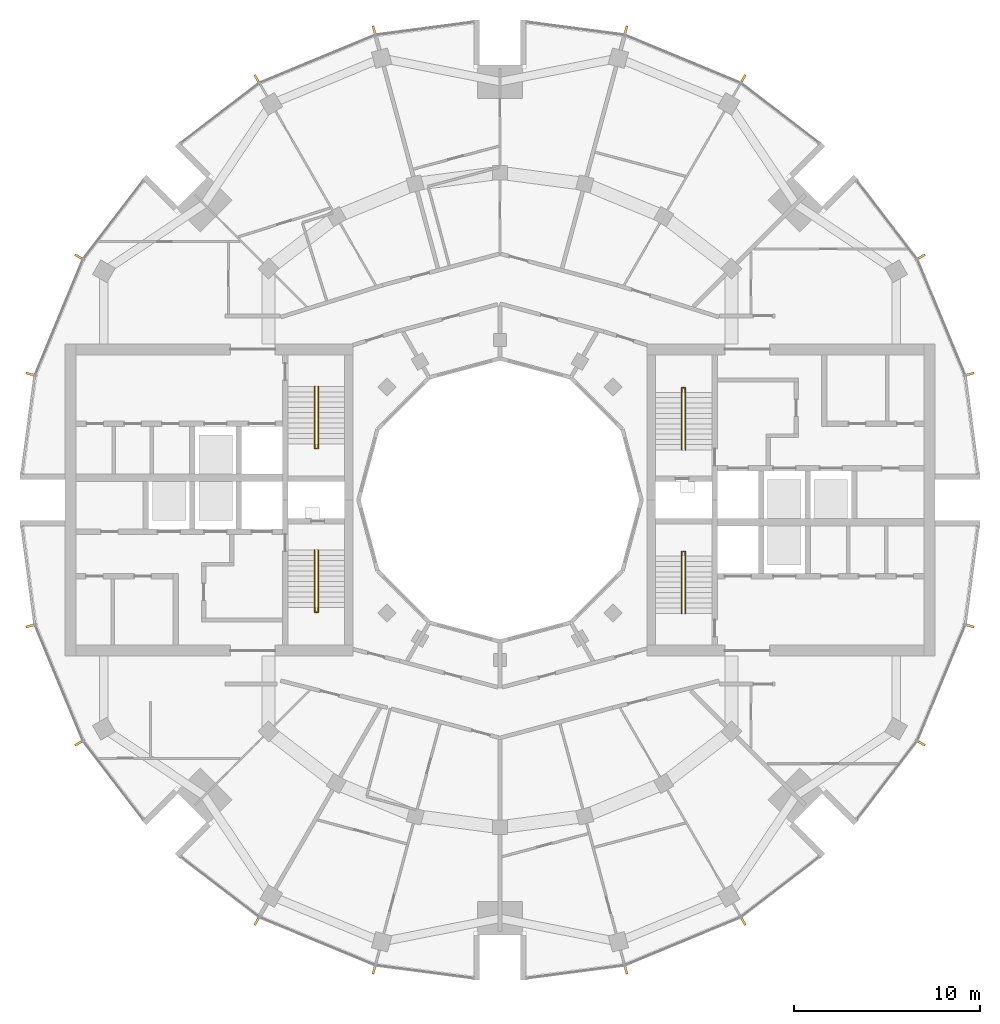
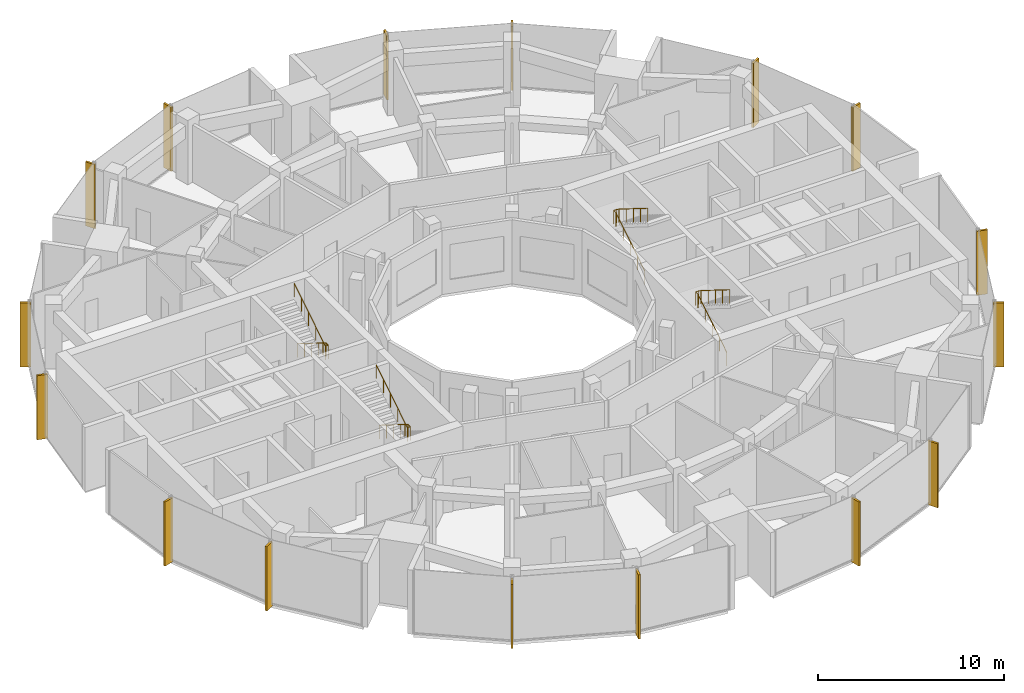
# One storey, part 14 of 15: 16 shading devices, 4 railings.
"""IFC4 building model written with IfcOpenShell, lengths in metres."""

from ifc_helpers import new_model, si_unit, direction, frame, origin, origin_2d, place, context, subcontext, project, spatial, rectangle, circle, extrude, material, material_profile, profile_set, type_object, element, save


model = new_model("IFC4")

# Units and contexts
model_context = context("Model", 3, precision=1e-05, world=origin(), true_north=direction((0.0, 1.0)))
body_context = subcontext(model_context, "Body", "Model", "MODEL_VIEW")
ifc_project = project(units=[si_unit("LENGTHUNIT", "METRE"), si_unit("AREAUNIT", "SQUARE_METRE"), si_unit("VOLUMEUNIT", "CUBIC_METRE"), si_unit("PLANEANGLEUNIT", "RADIAN"), si_unit("MASSUNIT", "GRAM", prefix="KILO")], contexts=[model_context])

# Site, building, storey
site_placement = place(None, origin())
site = spatial("IfcSite", under=ifc_project, at=site_placement, CompositionType="ELEMENT")
building_placement = place(site_placement, origin())
building = spatial("IfcBuilding", under=site, at=building_placement, Name="Torre Brocal", CompositionType="ELEMENT")
storey_placement = place(building_placement, frame((0.0, 0.0, 225.10009765625)))
storey = spatial("IfcBuildingStorey", under=building, at=storey_placement, Name="L52", CompositionType="ELEMENT", Elevation=225.10009765625)

# Shading devices
ifc_material_1 = material(Name="Aluminium, black anodised", Category="aluminium")
ifc_material_profile = material_profile(ifc_material_1, rectangle(XDim=0.1201171875, YDim=0.60009765625, at=origin_2d()), Name="FIN 120X600 4200 HIGH")
ifc_profile_set = profile_set([ifc_material_profile], Name="Aluminium, black anodised")
shading_device_type = type_object("IfcShadingDeviceType", Name="FIN 120X600 4200 HIGH", PredefinedType="USERDEFINED", material=ifc_profile_set)
for number, where, z_axis, x_axis, name in (
    (1, (105.208984375, 81.754638671875, -0.150146484375), (0.0, 0.0, 1.0), (-0.258819045103, 0.965925826289, 0.0), "FIN"),
    (2, (102.601806640625, 88.049072265625, -0.150146484375), (0.0, 0.0, 1.0), (-0.5, 0.866025403784, 0.0), "FIN"),
    (3, (93.049072265625, 97.601806640625, -0.150146484375), (0.0, 0.0, 1.0), (-0.866025403784, 0.5, 0.0), "FIN"),
    (4, (86.754638671875, 100.208984375, -0.150146484375), (0.0, 0.0, 1.0), (-0.965925826289, 0.258819045103, 0.0), "FIN"),
    (5, (73.245361328125, 100.208984375, -0.150146484375), (0.0, 0.0, 1.0), (-0.965925826289, -0.258819045103, 0.0), "FIN"),
    (6, (66.950927734375, 97.601806640625, -0.150146484375), (0.0, 0.0, 1.0), (-0.866025403784, -0.5, 0.0), "FIN"),
    (7, (57.398193359375, 88.049072265625, -0.150146484375), (0.0, 0.0, 1.0), (-0.5, -0.866025403784, 0.0), "FIN"),
    (8, (54.791015625, 81.754638671875, -0.150146484375), (0.0, 0.0, 1.0), (-0.258819045103, -0.965925826289, 0.0), "FIN"),
    (9, (54.791015625, 68.245361328125, -0.150146484375), (0.0, 0.0, 1.0), (0.258819045103, -0.965925826289, 0.0), "FIN"),
    (10, (57.398193359375, 61.950927734375, -0.150146484375), (0.0, 0.0, 1.0), (0.5, -0.866025403784, 0.0), "FIN"),
    (11, (66.950927734375, 52.398193359375, -0.150146484375), (0.0, 0.0, 1.0), (0.866025403784, -0.5, 0.0), "FIN"),
    (12, (73.245361328125, 49.791015625, -0.150146484375), (0.0, 0.0, 1.0), (0.965925826289, -0.258819045103, 0.0), "FIN"),
    (13, (86.754638671875, 49.791015625, -0.150146484375), (0.0, 0.0, 1.0), (0.965925826289, 0.258819045103, 0.0), "FIN"),
    (14, (93.049072265625, 52.398193359375, -0.150146484375), (0.0, 0.0, 1.0), (0.866025403784, 0.5, 0.0), "FIN"),
    (15, (102.601806640625, 61.950927734375, -0.150146484375), (0.0, 0.0, 1.0), (0.5, 0.866025403784, 0.0), "FIN"),
    (16, (105.208984375, 68.245361328125, -0.150146484375), (0.0, 0.0, 1.0), (0.258819045103, 0.965925826289, 0.0), "FIN"),
):
    element("IfcShadingDevice", number, at=place(storey_placement, frame(where, z_axis=z_axis, x_axis=x_axis)), inside=storey, type_object=shading_device_type, Name=name, ObjectType="FIN", PredefinedType="USERDEFINED", context=body_context, shape_type="SweptSolid", body=[
        extrude(rectangle(XDim=0.1201171875, YDim=0.60009765625, at=origin_2d()), origin(), (0.0, 0.0, 1.0), 4.199951171875),
    ])

# Railings
ifc_material_2 = material(Name="Stainless steel AISI 316", Category="steel")
railing_type = type_object("IfcRailingType", Name="STAIR HANDRAIL", PredefinedType="HANDRAIL", material=ifc_material_2)
railing_1_placement = place(storey_placement, frame((89.780029296875, 77.699951171875, 0.1748046875)))
element("IfcRailing", 17, at=railing_1_placement, inside=storey, type_object=railing_type, Name="HANDRAIL ST1", PredefinedType="HANDRAIL", context=body_context, shape_type="SweptSolid", body=[
    extrude(circle(Radius=0.02392578125, at=origin_2d()), frame((0.0, 0.0, 0.8759765625), z_axis=(0.0, 0.847998304005, 0.529998940003), x_axis=(-1.0, 0.0, 0.0)), (0.0, 0.0, 1.0), 3.632080078125),
    extrude(circle(Radius=0.02392578125, at=origin_2d()), frame((0.0, 3.080078125, 2.80078125), z_axis=(0.0, 1.0, 0.0), x_axis=(-1.0, 0.0, 0.0)), (0.0, 0.0, 1.0), 0.25),
    extrude(circle(Radius=0.02392578125, at=origin_2d()), frame((0.0, 3.330078125, 2.80078125), z_axis=(1.0, 0.0, 0.0), x_axis=(0.0, 1.0, 0.0)), (0.0, 0.0, 1.0), 0.18994140625),
    extrude(circle(Radius=0.02392578125, at=origin_2d()), frame((0.18994140625, 3.330078125, 2.80078125), z_axis=(0.0, -0.819156749665, 0.573569716318), x_axis=(1.0, 0.0, 0.0)), (0.0, 0.0, 1.0), 0.30517578125),
    extrude(circle(Radius=0.02392578125, at=origin_2d()), frame((0.18994140625, 3.080078125, 2.97607421875), z_axis=(0.0, -0.847998304005, 0.529998940003), x_axis=(1.0, 0.0, 0.0)), (0.0, 0.0, 1.0), 3.632080078125),
    extrude(circle(Radius=0.02099609375, at=origin_2d()), origin(), (0.0, 0.0, 1.0), 0.851806640625),
    extrude(circle(Radius=0.02099609375, at=origin_2d()), frame((0.0, 0.77001953125, 0.481201171875)), (0.0, 0.0, 1.0), 0.851806640625),
    extrude(circle(Radius=0.02099609375, at=origin_2d()), frame((0.0, 1.5400390625, 0.96240234375)), (0.0, 0.0, 1.0), 0.851806640625),
    extrude(circle(Radius=0.02099609375, at=origin_2d()), frame((0.0, 2.31005859375, 1.44384765625)), (0.0, 0.0, 1.0), 0.851806640625),
    extrude(circle(Radius=0.02099609375, at=origin_2d()), frame((0.0, 3.080078125, 1.925048828125)), (0.0, 0.0, 1.0), 0.851806640625),
    extrude(circle(Radius=0.02099609375, at=origin_2d()), frame((0.0, 3.330078125, 1.925048828125)), (0.0, 0.0, 1.0), 0.851806640625),
    extrude(circle(Radius=0.02099609375, at=origin_2d()), frame((0.18994140625, 3.330078125, 1.925048828125)), (0.0, 0.0, 1.0), 0.851806640625),
    extrude(circle(Radius=0.02099609375, at=origin_2d()), frame((0.18994140625, 3.080078125, 2.10009765625)), (0.0, 0.0, 1.0), 0.851806640625),
    extrude(circle(Radius=0.02099609375, at=origin_2d()), frame((0.18994140625, 2.31005859375, 2.581298828125)), (0.0, 0.0, 1.0), 0.851806640625),
    extrude(circle(Radius=0.02099609375, at=origin_2d()), frame((0.18994140625, 1.5400390625, 3.0625)), (0.0, 0.0, 1.0), 0.851806640625),
    extrude(circle(Radius=0.02099609375, at=origin_2d()), frame((0.18994140625, 0.77001953125, 3.5439453125)), (0.0, 0.0, 1.0), 0.851806640625),
    extrude(circle(Radius=0.02099609375, at=origin_2d()), frame((0.18994140625, 0.0, 4.025146484375)), (0.0, 0.0, 1.0), 0.851806640625),
])
railing_2_placement = place(storey_placement, frame((89.780029296875, 68.89990234375, 0.1748046875)))
element("IfcRailing", 18, at=railing_2_placement, inside=storey, type_object=railing_type, Name="HANDRAIL ST2", PredefinedType="HANDRAIL", context=body_context, shape_type="SweptSolid", body=[
    extrude(circle(Radius=0.02392578125, at=origin_2d()), frame((0.0, 0.0, 0.8759765625), z_axis=(0.0, 0.847998304005, 0.529998940003), x_axis=(-1.0, 0.0, 0.0)), (0.0, 0.0, 1.0), 3.632080078125),
    extrude(circle(Radius=0.02392578125, at=origin_2d()), frame((0.0, 3.080078125, 2.80078125), z_axis=(0.0, 1.0, 0.0), x_axis=(-1.0, 0.0, 0.0)), (0.0, 0.0, 1.0), 0.25),
    extrude(circle(Radius=0.02392578125, at=origin_2d()), frame((0.0, 3.330078125, 2.80078125), z_axis=(1.0, 0.0, 0.0), x_axis=(0.0, 1.0, 0.0)), (0.0, 0.0, 1.0), 0.18994140625),
    extrude(circle(Radius=0.02392578125, at=origin_2d()), frame((0.18994140625, 3.330078125, 2.80078125), z_axis=(0.0, -0.819156749665, 0.573569716318), x_axis=(1.0, 0.0, 0.0)), (0.0, 0.0, 1.0), 0.30517578125),
    extrude(circle(Radius=0.02392578125, at=origin_2d()), frame((0.18994140625, 3.080078125, 2.97607421875), z_axis=(0.0, -0.847998304005, 0.529998940003), x_axis=(1.0, 0.0, 0.0)), (0.0, 0.0, 1.0), 3.632080078125),
    extrude(circle(Radius=0.02099609375, at=origin_2d()), origin(), (0.0, 0.0, 1.0), 0.851806640625),
    extrude(circle(Radius=0.02099609375, at=origin_2d()), frame((0.0, 0.77001953125, 0.481201171875)), (0.0, 0.0, 1.0), 0.851806640625),
    extrude(circle(Radius=0.02099609375, at=origin_2d()), frame((0.0, 1.5400390625, 0.96240234375)), (0.0, 0.0, 1.0), 0.851806640625),
    extrude(circle(Radius=0.02099609375, at=origin_2d()), frame((0.0, 2.31005859375, 1.44384765625)), (0.0, 0.0, 1.0), 0.851806640625),
    extrude(circle(Radius=0.02099609375, at=origin_2d()), frame((0.0, 3.080078125, 1.925048828125)), (0.0, 0.0, 1.0), 0.851806640625),
    extrude(circle(Radius=0.02099609375, at=origin_2d()), frame((0.0, 3.330078125, 1.925048828125)), (0.0, 0.0, 1.0), 0.851806640625),
    extrude(circle(Radius=0.02099609375, at=origin_2d()), frame((0.18994140625, 3.330078125, 1.925048828125)), (0.0, 0.0, 1.0), 0.851806640625),
    extrude(circle(Radius=0.02099609375, at=origin_2d()), frame((0.18994140625, 3.080078125, 2.10009765625)), (0.0, 0.0, 1.0), 0.851806640625),
    extrude(circle(Radius=0.02099609375, at=origin_2d()), frame((0.18994140625, 2.31005859375, 2.581298828125)), (0.0, 0.0, 1.0), 0.851806640625),
    extrude(circle(Radius=0.02099609375, at=origin_2d()), frame((0.18994140625, 1.5400390625, 3.0625)), (0.0, 0.0, 1.0), 0.851806640625),
    extrude(circle(Radius=0.02099609375, at=origin_2d()), frame((0.18994140625, 0.77001953125, 3.5439453125)), (0.0, 0.0, 1.0), 0.851806640625),
    extrude(circle(Radius=0.02099609375, at=origin_2d()), frame((0.18994140625, 0.0, 4.025146484375)), (0.0, 0.0, 1.0), 0.851806640625),
])
railing_3_placement = place(storey_placement, frame((70.219970703125, 72.300048828125, 0.1748046875)))
element("IfcRailing", 19, at=railing_3_placement, inside=storey, type_object=railing_type, Name="HANDRAIL ST3", PredefinedType="HANDRAIL", context=body_context, shape_type="SweptSolid", body=[
    extrude(circle(Radius=0.02392578125, at=origin_2d()), frame((0.0, 0.0, 0.8759765625), z_axis=(0.0, -0.847998304005, 0.529998940003), x_axis=(1.0, 0.0, 0.0)), (0.0, 0.0, 1.0), 3.632080078125),
    extrude(circle(Radius=0.02392578125, at=origin_2d()), frame((0.0, -3.080078125, 2.80078125), z_axis=(0.0, -1.0, 0.0), x_axis=(1.0, 0.0, 0.0)), (0.0, 0.0, 1.0), 0.25),
    extrude(circle(Radius=0.02392578125, at=origin_2d()), frame((0.0, -3.330078125, 2.80078125), z_axis=(-1.0, 0.0, 0.0), x_axis=(0.0, -1.0, 0.0)), (0.0, 0.0, 1.0), 0.18994140625),
    extrude(circle(Radius=0.02392578125, at=origin_2d()), frame((-0.18994140625, -3.330078125, 2.80078125), z_axis=(0.0, 0.819156749665, 0.573569716318), x_axis=(-1.0, 0.0, 0.0)), (0.0, 0.0, 1.0), 0.30517578125),
    extrude(circle(Radius=0.02392578125, at=origin_2d()), frame((-0.18994140625, -3.080078125, 2.97607421875), z_axis=(0.0, 0.847998304005, 0.529998940003), x_axis=(-1.0, 0.0, 0.0)), (0.0, 0.0, 1.0), 3.632080078125),
    extrude(circle(Radius=0.02099609375, at=origin_2d()), origin(), (0.0, 0.0, 1.0), 0.851806640625),
    extrude(circle(Radius=0.02099609375, at=origin_2d()), frame((0.0, -0.77001953125, 0.481201171875)), (0.0, 0.0, 1.0), 0.851806640625),
    extrude(circle(Radius=0.02099609375, at=origin_2d()), frame((0.0, -1.5400390625, 0.96240234375)), (0.0, 0.0, 1.0), 0.851806640625),
    extrude(circle(Radius=0.02099609375, at=origin_2d()), frame((0.0, -2.31005859375, 1.44384765625)), (0.0, 0.0, 1.0), 0.851806640625),
    extrude(circle(Radius=0.02099609375, at=origin_2d()), frame((0.0, -3.080078125, 1.925048828125)), (0.0, 0.0, 1.0), 0.851806640625),
    extrude(circle(Radius=0.02099609375, at=origin_2d()), frame((0.0, -3.330078125, 1.925048828125)), (0.0, 0.0, 1.0), 0.851806640625),
    extrude(circle(Radius=0.02099609375, at=origin_2d()), frame((-0.18994140625, -3.330078125, 1.925048828125)), (0.0, 0.0, 1.0), 0.851806640625),
    extrude(circle(Radius=0.02099609375, at=origin_2d()), frame((-0.18994140625, -3.080078125, 2.10009765625)), (0.0, 0.0, 1.0), 0.851806640625),
    extrude(circle(Radius=0.02099609375, at=origin_2d()), frame((-0.18994140625, -2.31005859375, 2.581298828125)), (0.0, 0.0, 1.0), 0.851806640625),
    extrude(circle(Radius=0.02099609375, at=origin_2d()), frame((-0.18994140625, -1.5400390625, 3.0625)), (0.0, 0.0, 1.0), 0.851806640625),
    extrude(circle(Radius=0.02099609375, at=origin_2d()), frame((-0.18994140625, -0.77001953125, 3.5439453125)), (0.0, 0.0, 1.0), 0.851806640625),
    extrude(circle(Radius=0.02099609375, at=origin_2d()), frame((-0.18994140625, 0.0, 4.025146484375)), (0.0, 0.0, 1.0), 0.851806640625),
])
railing_4_placement = place(storey_placement, frame((70.219970703125, 81.10009765625, 0.1748046875)))
element("IfcRailing", 20, at=railing_4_placement, inside=storey, type_object=railing_type, Name="HANDRAIL ST4", PredefinedType="HANDRAIL", context=body_context, shape_type="SweptSolid", body=[
    extrude(circle(Radius=0.02392578125, at=origin_2d()), frame((0.0, 0.0, 0.8759765625), z_axis=(0.0, -0.847998304005, 0.529998940003), x_axis=(1.0, 0.0, 0.0)), (0.0, 0.0, 1.0), 3.632080078125),
    extrude(circle(Radius=0.02392578125, at=origin_2d()), frame((0.0, -3.080078125, 2.80078125), z_axis=(0.0, -1.0, 0.0), x_axis=(1.0, 0.0, 0.0)), (0.0, 0.0, 1.0), 0.25),
    extrude(circle(Radius=0.02392578125, at=origin_2d()), frame((0.0, -3.330078125, 2.80078125), z_axis=(-1.0, 0.0, 0.0), x_axis=(0.0, -1.0, 0.0)), (0.0, 0.0, 1.0), 0.18994140625),
    extrude(circle(Radius=0.02392578125, at=origin_2d()), frame((-0.18994140625, -3.330078125, 2.80078125), z_axis=(0.0, 0.819156749665, 0.573569716318), x_axis=(-1.0, 0.0, 0.0)), (0.0, 0.0, 1.0), 0.30517578125),
    extrude(circle(Radius=0.02392578125, at=origin_2d()), frame((-0.18994140625, -3.080078125, 2.97607421875), z_axis=(0.0, 0.847998304005, 0.529998940003), x_axis=(-1.0, 0.0, 0.0)), (0.0, 0.0, 1.0), 3.632080078125),
    extrude(circle(Radius=0.02099609375, at=origin_2d()), origin(), (0.0, 0.0, 1.0), 0.851806640625),
    extrude(circle(Radius=0.02099609375, at=origin_2d()), frame((0.0, -0.77001953125, 0.481201171875)), (0.0, 0.0, 1.0), 0.851806640625),
    extrude(circle(Radius=0.02099609375, at=origin_2d()), frame((0.0, -1.5400390625, 0.96240234375)), (0.0, 0.0, 1.0), 0.851806640625),
    extrude(circle(Radius=0.02099609375, at=origin_2d()), frame((0.0, -2.31005859375, 1.44384765625)), (0.0, 0.0, 1.0), 0.851806640625),
    extrude(circle(Radius=0.02099609375, at=origin_2d()), frame((0.0, -3.080078125, 1.925048828125)), (0.0, 0.0, 1.0), 0.851806640625),
    extrude(circle(Radius=0.02099609375, at=origin_2d()), frame((0.0, -3.330078125, 1.925048828125)), (0.0, 0.0, 1.0), 0.851806640625),
    extrude(circle(Radius=0.02099609375, at=origin_2d()), frame((-0.18994140625, -3.330078125, 1.925048828125)), (0.0, 0.0, 1.0), 0.851806640625),
    extrude(circle(Radius=0.02099609375, at=origin_2d()), frame((-0.18994140625, -3.080078125, 2.10009765625)), (0.0, 0.0, 1.0), 0.851806640625),
    extrude(circle(Radius=0.02099609375, at=origin_2d()), frame((-0.18994140625, -2.31005859375, 2.581298828125)), (0.0, 0.0, 1.0), 0.851806640625),
    extrude(circle(Radius=0.02099609375, at=origin_2d()), frame((-0.18994140625, -1.5400390625, 3.0625)), (0.0, 0.0, 1.0), 0.851806640625),
    extrude(circle(Radius=0.02099609375, at=origin_2d()), frame((-0.18994140625, -0.77001953125, 3.5439453125)), (0.0, 0.0, 1.0), 0.851806640625),
    extrude(circle(Radius=0.02099609375, at=origin_2d()), frame((-0.18994140625, 0.0, 4.025146484375)), (0.0, 0.0, 1.0), 0.851806640625),
])

save(model, "model.ifc")
